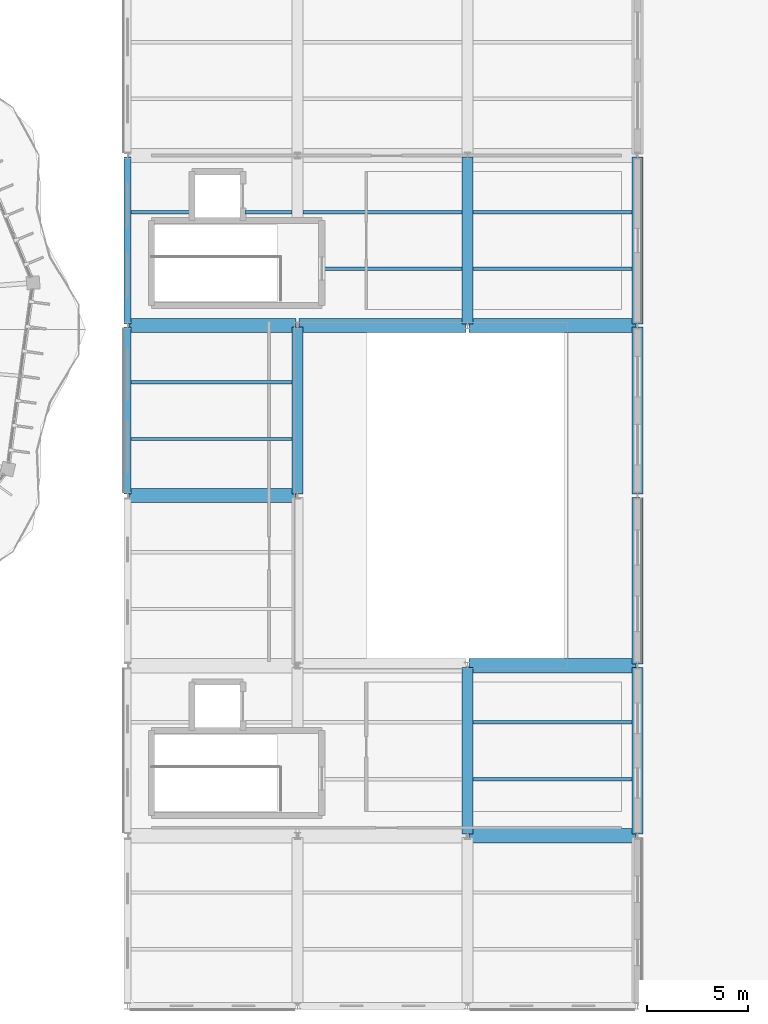
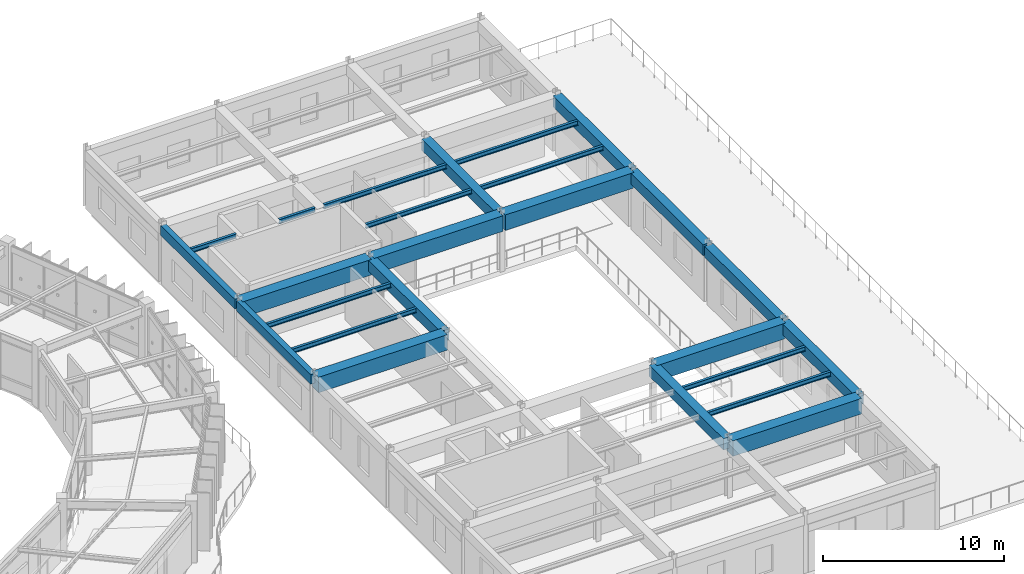
# One storey, part 79 of 114: 25 beams.
"""IFC4 building model written with IfcOpenShell, lengths in metres."""

from ifc_helpers import new_model, si_unit, direction, frame, origin, origin_2d, place, context, subcontext, project, spatial, rectangle, i_section, extrude, material, material_profile, profile_set, type_object, element, save


model = new_model("IFC4")

# Units and contexts
model_context = context("Model", 3, precision=1e-05, world=origin(), true_north=direction((0.0, 1.0)))
body_context = subcontext(model_context, "Body", "Model", "MODEL_VIEW")
ifc_project = project(units=[si_unit("LENGTHUNIT", "METRE"), si_unit("AREAUNIT", "SQUARE_METRE"), si_unit("VOLUMEUNIT", "CUBIC_METRE"), si_unit("PLANEANGLEUNIT", "RADIAN"), si_unit("MASSUNIT", "GRAM", prefix="KILO"), si_unit("THERMODYNAMICTEMPERATUREUNIT", "KELVIN"), si_unit("POWERUNIT", "WATT")], contexts=[model_context])

# Site, building, storey
site_placement = place(None, origin())
site = spatial("IfcSite", under=ifc_project, at=site_placement, CompositionType="ELEMENT")
building_placement = place(site_placement, origin())
building = spatial("IfcBuilding", under=site, at=building_placement, Name="Darbajah Civic Hall", CompositionType="ELEMENT")
storey_placement = place(building_placement, frame((0.0, 0.0, 13.800048828125)))
storey = spatial("IfcBuildingStorey", under=building, at=storey_placement, Name="L03", CompositionType="ELEMENT", Elevation=13.800048828125)

# Beams
ifc_material_1 = material(Name="Concrete C45/55", Category="concrete")
ifc_material_profile_1 = material_profile(ifc_material_1, rectangle(XDim=0.550048828125, YDim=0.75, at=origin_2d()), Name="RC BEAM 550x750")
ifc_profile_set_1 = profile_set([ifc_material_profile_1], Name="Concrete C45/55")
beam_type_1 = type_object("IfcBeamType", Name="RC BEAM 550x750", PredefinedType="BEAM", material=ifc_profile_set_1)
beam_1_placement = place(storey_placement, frame((153.0, 81.679931640625, 3.554931640625), z_axis=(0.0, 1.0, 0.0), x_axis=(-1.0, 0.0, 0.0)))
element("IfcBeam", 1, at=beam_1_placement, inside=storey, type_object=beam_type_1, Name="L03 beam BM-5575", PredefinedType="BEAM", context=body_context, shape_type="SweptSolid", body=[
    extrude(rectangle(XDim=0.550048828125, YDim=0.75, at=origin_2d()), origin(), (0.0, 0.0, 1.0), 8.239990234375),
])
beam_2_placement = place(storey_placement, frame((161.39990234375, 64.8798828125, 3.554931640625), z_axis=(0.0, 1.0, 0.0), x_axis=(-1.0, 0.0, 0.0)))
element("IfcBeam", 2, at=beam_2_placement, inside=storey, type_object=beam_type_1, Name="L03 beam BM-5575", PredefinedType="BEAM", context=body_context, shape_type="SweptSolid", body=[
    extrude(rectangle(XDim=0.550048828125, YDim=0.75, at=origin_2d()), origin(), (0.0, 0.0, 1.0), 8.240234375),
])
beam_3_placement = place(storey_placement, frame((161.39990234375, 90.080078125, 3.554931640625), z_axis=(0.0, 1.0, 0.0), x_axis=(-1.0, 0.0, 0.0)))
element("IfcBeam", 3, at=beam_3_placement, inside=storey, type_object=beam_type_1, Name="L03 beam BM-5575", PredefinedType="BEAM", context=body_context, shape_type="SweptSolid", body=[
    extrude(rectangle(XDim=0.550048828125, YDim=0.75, at=origin_2d()), origin(), (0.0, 0.0, 1.0), 8.239990234375),
])
beam_4_placement = place(storey_placement, frame((169.800048828125, 64.8798828125, 3.554931640625), z_axis=(0.0, 1.0, 0.0), x_axis=(-1.0, 0.0, 0.0)))
element("IfcBeam", 4, at=beam_4_placement, inside=storey, type_object=beam_type_1, Name="L03 beam BM-5575", PredefinedType="BEAM", context=body_context, shape_type="SweptSolid", body=[
    extrude(rectangle(XDim=0.550048828125, YDim=0.75, at=origin_2d()), origin(), (0.0, 0.0, 1.0), 8.240234375),
])
for number, where, z_axis, x_axis, name in (
    (5, (169.800048828125, 73.280029296875, 3.554931640625), (0.0, 1.0, 0.0), (-1.0, 0.0, 0.0), "L03 beam BM-5575"),
    (6, (169.800048828125, 81.679931640625, 3.554931640625), (0.0, 1.0, 0.0), (-1.0, 0.0, 0.0), "L03 beam BM-5575"),
    (7, (169.800048828125, 90.080078125, 3.554931640625), (0.0, 1.0, 0.0), (-1.0, 0.0, 0.0), "L03 beam BM-5575"),
):
    element("IfcBeam", number, at=place(storey_placement, frame(where, z_axis=z_axis, x_axis=x_axis)), inside=storey, type_object=beam_type_1, Name=name, PredefinedType="BEAM", context=body_context, shape_type="SweptSolid", body=[
        extrude(rectangle(XDim=0.550048828125, YDim=0.75, at=origin_2d()), origin(), (0.0, 0.0, 1.0), 8.239990234375),
    ])
ifc_material_2 = material(Name="Concrete C50/60", Category="concrete")
ifc_material_profile_2 = material_profile(ifc_material_2, rectangle(XDim=0.699951171875, YDim=1.050048828125, at=origin_2d()), Name="RC GIRDER 700x1050")
ifc_profile_set_2 = profile_set([ifc_material_profile_2], Name="Concrete C50/60")
beam_type_2 = type_object("IfcBeamType", Name="RC GIRDER 700x1050", PredefinedType="BEAM", material=ifc_profile_set_2)
for number, where, z_axis, x_axis, name in (
    (8, (161.47998046875, 64.800048828125, 3.405029296875), (1.0, 0.0, 0.0), (0.0, 1.0, 0.0), "L03 beam BG-7010"),
    (9, (161.47998046875, 73.199951171875, 3.405029296875), (1.0, 0.0, 0.0), (0.0, 1.0, 0.0), "L03 beam BG-7010"),
    (10, (144.679931640625, 81.60009765625, 3.405029296875), (1.0, 0.0, 0.0), (0.0, 1.0, 0.0), "L03 beam BG-7010"),
    (11, (144.679931640625, 90.0, 3.405029296875), (1.0, 0.0, 0.0), (0.0, 1.0, 0.0), "L03 beam BG-7010"),
    (12, (153.080078125, 90.0, 3.405029296875), (1.0, 0.0, 0.0), (0.0, 1.0, 0.0), "L03 beam BG-7010"),
    (13, (161.47998046875, 90.0, 3.405029296875), (1.0, 0.0, 0.0), (0.0, 1.0, 0.0), "L03 beam BG-7010"),
):
    element("IfcBeam", number, at=place(storey_placement, frame(where, z_axis=z_axis, x_axis=x_axis)), inside=storey, type_object=beam_type_2, Name=name, PredefinedType="BEAM", context=body_context, shape_type="SweptSolid", body=[
        extrude(rectangle(XDim=0.699951171875, YDim=1.050048828125, at=origin_2d()), origin(), (0.0, 0.0, 1.0), 8.239990234375),
    ])
ifc_material_profile_3 = material_profile(ifc_material_1, rectangle(XDim=0.35009765625, YDim=0.64990234375, at=origin_2d()), Name="RC SPANDREL 350x650")
ifc_profile_set_3 = profile_set([ifc_material_profile_3], Name="Concrete C45/55")
beam_type_3 = type_object("IfcBeamType", Name="RC SPANDREL 350x650", PredefinedType="SPANDREL", material=ifc_profile_set_3)
for number, where, z_axis, x_axis, name in (
    (14, (144.60009765625, 81.679931640625, 3.60498046875), (0.0, 1.0, 0.0), (-1.0, 0.0, 0.0), "L03 beam SP-3565"),
    (15, (144.60009765625, 90.080078125, 3.60498046875), (0.0, 1.0, 0.0), (-1.0, 0.0, 0.0), "L03 beam SP-3565"),
):
    element("IfcBeam", number, at=place(storey_placement, frame(where, z_axis=z_axis, x_axis=x_axis)), inside=storey, type_object=beam_type_3, Name=name, PredefinedType="SPANDREL", context=body_context, shape_type="SweptSolid", body=[
        extrude(rectangle(XDim=0.35009765625, YDim=0.64990234375, at=origin_2d()), origin(), (0.0, 0.0, 1.0), 8.239990234375),
    ])
ifc_material_3 = material(Name="Steel S355JR", Category="steel")
ifc_material_profile_4 = material_profile(ifc_material_3, i_section(OverallWidth=0.165771484375, OverallDepth=0.306640625, WebThickness=0.006591796875, FlangeThickness=0.01171875, FilletRadius=0.0087890625, at=origin_2d()), Name="UB 305x165x46")
ifc_profile_set_4 = profile_set([ifc_material_profile_4], Name="Steel S355JR")
beam_type_4 = type_object("IfcBeamType", Name="UB 305x165x46", PredefinedType="JOIST", material=ifc_profile_set_4)
for number, where, z_axis, x_axis, name in (
    (16, (144.77490234375, 84.39990234375, 3.776611328125), (1.0, 0.0, 0.0), (0.0, 1.0, 0.0), "L03 beam SJ-305"),
    (17, (144.77490234375, 87.199951171875, 3.776611328125), (1.0, 0.0, 0.0), (0.0, 1.0, 0.0), "L03 beam SJ-305"),
):
    element("IfcBeam", number, at=place(storey_placement, frame(where, z_axis=z_axis, x_axis=x_axis)), inside=storey, type_object=beam_type_4, Name=name, PredefinedType="JOIST", context=body_context, shape_type="SweptSolid", body=[
        extrude(i_section(OverallWidth=0.165771484375, OverallDepth=0.306640625, WebThickness=0.006591796875, FlangeThickness=0.01171875, FilletRadius=0.0087890625, at=origin_2d()), origin(), (0.0, 0.0, 1.0), 7.9501953125),
    ])
beam_5_placement = place(storey_placement, frame((144.77490234375, 95.60009765625, 3.776611328125), z_axis=(1.0, 0.0, 0.0), x_axis=(0.0, 1.0, 0.0)))
element("IfcBeam", 18, at=beam_5_placement, inside=storey, type_object=beam_type_4, Name="L03 beam SJ-305", PredefinedType="JOIST", context=body_context, shape_type="SweptSolid", body=[
    extrude(i_section(OverallWidth=0.165771484375, OverallDepth=0.306640625, WebThickness=0.006591796875, FlangeThickness=0.01171875, FilletRadius=0.0087890625, at=origin_2d()), origin(), (0.0, 0.0, 1.0), 2.905029296875),
])
beam_6_placement = place(storey_placement, frame((150.419921875, 95.60009765625, 3.776611328125), z_axis=(1.0, 0.0, 0.0), x_axis=(0.0, 1.0, 0.0)))
element("IfcBeam", 19, at=beam_6_placement, inside=storey, type_object=beam_type_4, Name="L03 beam SJ-305", PredefinedType="JOIST", context=body_context, shape_type="SweptSolid", body=[
    extrude(i_section(OverallWidth=0.165771484375, OverallDepth=0.306640625, WebThickness=0.006591796875, FlangeThickness=0.01171875, FilletRadius=0.0087890625, at=origin_2d()), origin(), (0.0, 0.0, 1.0), 2.30517578125),
])
beam_7_placement = place(storey_placement, frame((154.340087890625, 92.800048828125, 3.776611328125), z_axis=(1.0, 0.0, 0.0), x_axis=(0.0, 1.0, 0.0)))
element("IfcBeam", 20, at=beam_7_placement, inside=storey, type_object=beam_type_4, Name="L03 beam SJ-305", PredefinedType="JOIST", context=body_context, shape_type="SweptSolid", body=[
    extrude(i_section(OverallWidth=0.165771484375, OverallDepth=0.306640625, WebThickness=0.006591796875, FlangeThickness=0.01171875, FilletRadius=0.0087890625, at=origin_2d()), origin(), (0.0, 0.0, 1.0), 6.784912109375),
])
beam_8_placement = place(storey_placement, frame((153.27490234375, 95.60009765625, 3.776611328125), z_axis=(1.0, 0.0, 0.0), x_axis=(0.0, 1.0, 0.0)))
element("IfcBeam", 21, at=beam_8_placement, inside=storey, type_object=beam_type_4, Name="L03 beam SJ-305", PredefinedType="JOIST", context=body_context, shape_type="SweptSolid", body=[
    extrude(i_section(OverallWidth=0.165771484375, OverallDepth=0.306640625, WebThickness=0.006591796875, FlangeThickness=0.01171875, FilletRadius=0.0087890625, at=origin_2d()), origin(), (0.0, 0.0, 1.0), 7.85009765625),
])
for number, where, z_axis, x_axis, name in (
    (22, (161.675048828125, 67.60009765625, 3.776611328125), (1.0, 0.0, 0.0), (0.0, 1.0, 0.0), "L03 beam SJ-305"),
    (23, (161.675048828125, 70.39990234375, 3.776611328125), (1.0, 0.0, 0.0), (0.0, 1.0, 0.0), "L03 beam SJ-305"),
    (24, (161.675048828125, 92.800048828125, 3.776611328125), (1.0, 0.0, 0.0), (0.0, 1.0, 0.0), "L03 beam SJ-305"),
    (25, (161.675048828125, 95.60009765625, 3.776611328125), (1.0, 0.0, 0.0), (0.0, 1.0, 0.0), "L03 beam SJ-305"),
):
    element("IfcBeam", number, at=place(storey_placement, frame(where, z_axis=z_axis, x_axis=x_axis)), inside=storey, type_object=beam_type_4, Name=name, PredefinedType="JOIST", context=body_context, shape_type="SweptSolid", body=[
        extrude(i_section(OverallWidth=0.165771484375, OverallDepth=0.306640625, WebThickness=0.006591796875, FlangeThickness=0.01171875, FilletRadius=0.0087890625, at=origin_2d()), origin(), (0.0, 0.0, 1.0), 7.849853515625),
    ])

save(model, "model.ifc")
